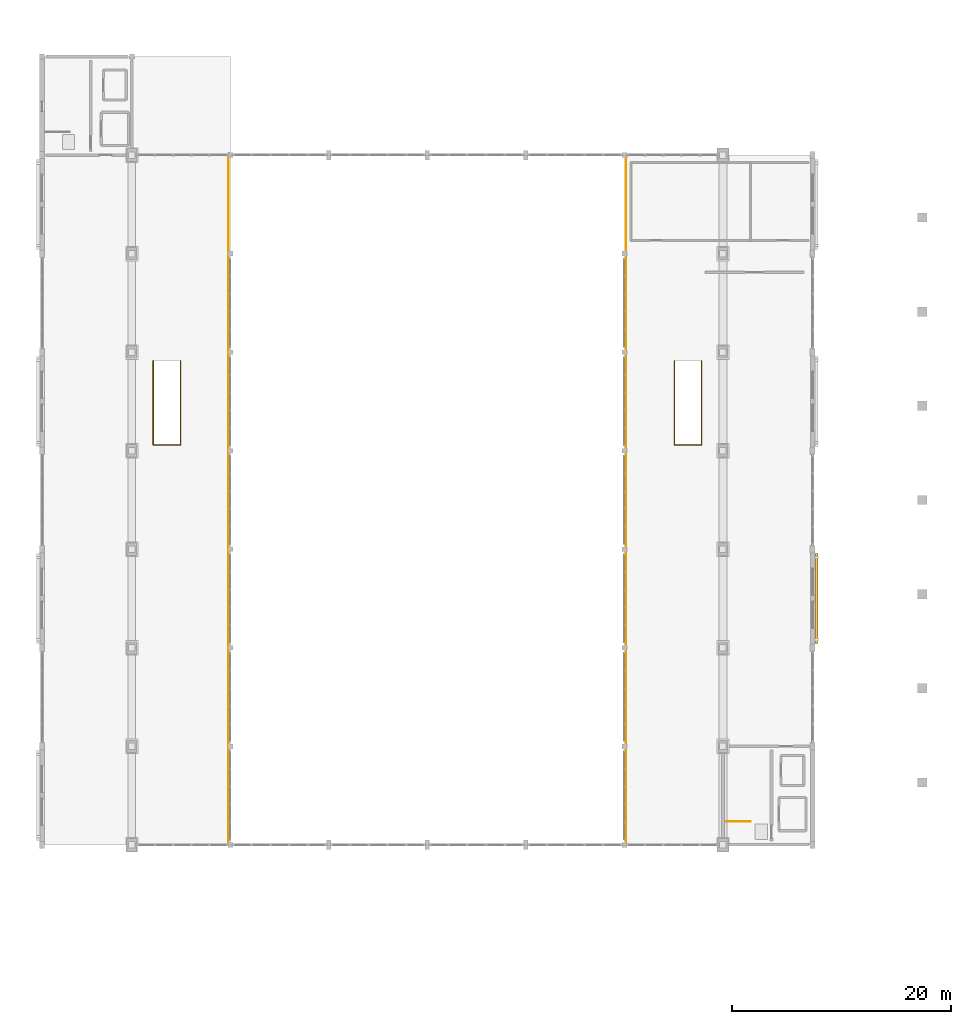
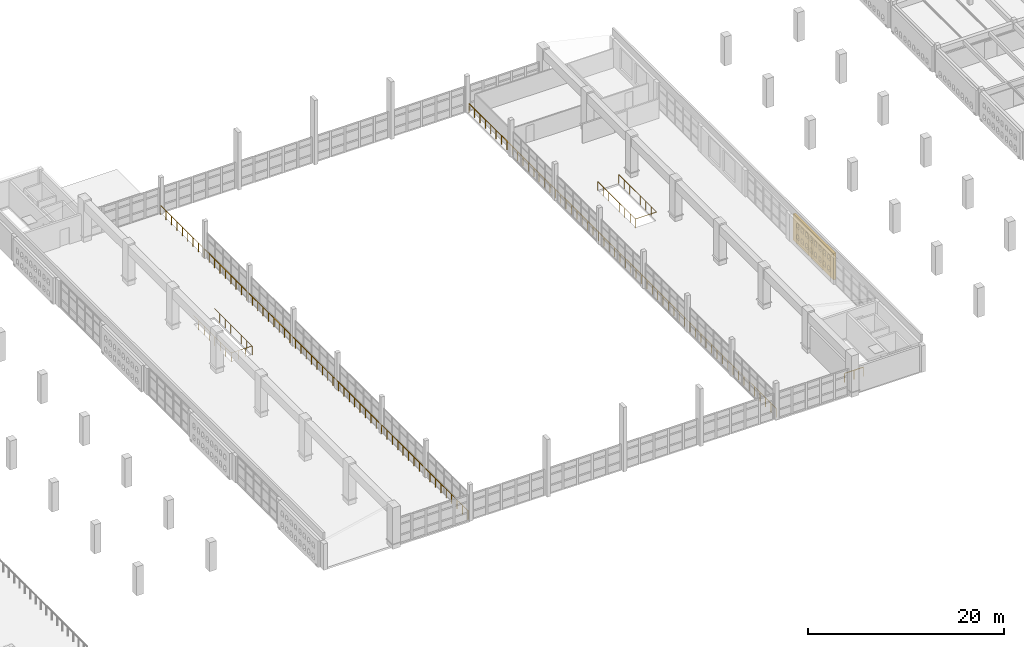
# One storey, part 75 of 80: 5 railings, 1 covering.
"""IFC4 building model written with IfcOpenShell, lengths in metres."""

from ifc_helpers import new_model, si_unit, direction, frame, origin, origin_2d, place, context, subcontext, project, spatial, polyline, circle, outline, extrude, material, layer, layer_set, type_object, element, save


model = new_model("IFC4")

# Units and contexts
model_context = context("Model", 3, precision=1e-05, world=origin(), true_north=direction((0.0, 1.0)))
body_context = subcontext(model_context, "Body", "Model", "MODEL_VIEW")
ifc_project = project(units=[si_unit("LENGTHUNIT", "METRE"), si_unit("AREAUNIT", "SQUARE_METRE"), si_unit("VOLUMEUNIT", "CUBIC_METRE"), si_unit("PLANEANGLEUNIT", "RADIAN"), si_unit("MASSUNIT", "GRAM", prefix="KILO")], contexts=[model_context])

# Site, building, storey
site_placement = place(None, origin())
site = spatial("IfcSite", under=ifc_project, at=site_placement, CompositionType="ELEMENT")
building_placement = place(site_placement, origin())
building = spatial("IfcBuilding", under=site, at=building_placement, Name="Ornek Quay Market", CompositionType="ELEMENT")
storey_placement = place(building_placement, frame((0.0, 0.0, 8.39990234375)))
storey = spatial("IfcBuildingStorey", under=building, at=storey_placement, Name="L02", CompositionType="ELEMENT", Elevation=8.39990234375)

# Covering
ifc_material_1 = material(Name="Frost-resistant facing clay brick M200 F100", Category="masonry")
ifc_layer = layer(ifc_material_1, 0.2900390625, Name="Frost-resistant facing clay brick M200 F100", Category="masonry")
ifc_layer_set = layer_set([ifc_layer], Name="Frost-resistant facing clay brick M200 F100")
covering_type = type_object("IfcCoveringType", Name="COV-BRICK-LATTICE-290", PredefinedType="CLADDING", material=ifc_layer_set)
covering_placement = place(storey_placement, frame((125.5400390625, 47.39990234375, 0.0), z_axis=(0.0, 0.0, 1.0), x_axis=(0.0, 1.0, 0.0)))
element("IfcCovering", 1, at=covering_placement, inside=storey, type_object=covering_type, Name="Arched brick lattice screen BLS-059", PredefinedType="CLADDING", context=body_context, shape_type="SweptSolid", body=[
    extrude(outline(polyline([(0.0, 0.0), (8.2001953125, 0.0), (8.2001953125, 3.2900390625), (0.0, 3.2900390625), (0.0, 0.0)]), holes=[polyline([(0.7099609375, 0.550048828125), (1.18994140625, 0.550048828125), (1.18994140625, 1.050048828125), (1.070068359375, 1.2578125), (0.830078125, 1.2578125), (0.7099609375, 1.050048828125), (0.7099609375, 0.550048828125)]), polyline([(0.7099609375, 1.949951171875), (1.18994140625, 1.949951171875), (1.18994140625, 2.449951171875), (1.070068359375, 2.65771484375), (0.830078125, 2.65771484375), (0.7099609375, 2.449951171875), (0.7099609375, 1.949951171875)]), polyline([(1.610107421875, 0.550048828125), (2.090087890625, 0.550048828125), (2.090087890625, 1.050048828125), (1.969970703125, 1.2578125), (1.72998046875, 1.2578125), (1.610107421875, 1.050048828125), (1.610107421875, 0.550048828125)]), polyline([(1.610107421875, 1.949951171875), (2.090087890625, 1.949951171875), (2.090087890625, 2.449951171875), (1.969970703125, 2.65771484375), (1.72998046875, 2.65771484375), (1.610107421875, 2.449951171875), (1.610107421875, 1.949951171875)]), polyline([(2.510009765625, 0.550048828125), (2.989990234375, 0.550048828125), (2.989990234375, 1.050048828125), (2.8701171875, 1.2578125), (2.6298828125, 1.2578125), (2.510009765625, 1.050048828125), (2.510009765625, 0.550048828125)]), polyline([(2.510009765625, 1.949951171875), (2.989990234375, 1.949951171875), (2.989990234375, 2.449951171875), (2.8701171875, 2.65771484375), (2.6298828125, 2.65771484375), (2.510009765625, 2.449951171875), (2.510009765625, 1.949951171875)]), polyline([(3.409912109375, 0.550048828125), (3.889892578125, 0.550048828125), (3.889892578125, 1.050048828125), (3.77001953125, 1.2578125), (3.530029296875, 1.2578125), (3.409912109375, 1.050048828125), (3.409912109375, 0.550048828125)]), polyline([(3.409912109375, 1.949951171875), (3.889892578125, 1.949951171875), (3.889892578125, 2.449951171875), (3.77001953125, 2.65771484375), (3.530029296875, 2.65771484375), (3.409912109375, 2.449951171875), (3.409912109375, 1.949951171875)]), polyline([(4.31005859375, 0.550048828125), (4.7900390625, 0.550048828125), (4.7900390625, 1.050048828125), (4.669921875, 1.2578125), (4.429931640625, 1.2578125), (4.31005859375, 1.050048828125), (4.31005859375, 0.550048828125)]), polyline([(4.31005859375, 1.949951171875), (4.7900390625, 1.949951171875), (4.7900390625, 2.449951171875), (4.669921875, 2.65771484375), (4.429931640625, 2.65771484375), (4.31005859375, 2.449951171875), (4.31005859375, 1.949951171875)]), polyline([(5.2099609375, 0.550048828125), (5.68994140625, 0.550048828125), (5.68994140625, 1.050048828125), (5.570068359375, 1.2578125), (5.330078125, 1.2578125), (5.2099609375, 1.050048828125), (5.2099609375, 0.550048828125)]), polyline([(5.2099609375, 1.949951171875), (5.68994140625, 1.949951171875), (5.68994140625, 2.449951171875), (5.570068359375, 2.65771484375), (5.330078125, 2.65771484375), (5.2099609375, 2.449951171875), (5.2099609375, 1.949951171875)]), polyline([(6.110107421875, 0.550048828125), (6.590087890625, 0.550048828125), (6.590087890625, 1.050048828125), (6.469970703125, 1.2578125), (6.22998046875, 1.2578125), (6.110107421875, 1.050048828125), (6.110107421875, 0.550048828125)]), polyline([(6.110107421875, 1.949951171875), (6.590087890625, 1.949951171875), (6.590087890625, 2.449951171875), (6.469970703125, 2.65771484375), (6.22998046875, 2.65771484375), (6.110107421875, 2.449951171875), (6.110107421875, 1.949951171875)]), polyline([(7.010009765625, 0.550048828125), (7.489990234375, 0.550048828125), (7.489990234375, 1.050048828125), (7.3701171875, 1.2578125), (7.1298828125, 1.2578125), (7.010009765625, 1.050048828125), (7.010009765625, 0.550048828125)]), polyline([(7.010009765625, 1.949951171875), (7.489990234375, 1.949951171875), (7.489990234375, 2.449951171875), (7.3701171875, 2.65771484375), (7.1298828125, 2.65771484375), (7.010009765625, 2.449951171875), (7.010009765625, 1.949951171875)])]), frame((0.0, 0.14501953125, 0.0), z_axis=(0.0, -1.0, 0.0), x_axis=(1.0, 0.0, 0.0)), (0.0, 0.0, 1.0), 0.2900390625),
])

# Railings
ifc_material_2 = material(Name="Painted steel S355 and vertical infill bars", Category="steel")
railing_type_1 = type_object("IfcRailingType", Name="RL-GUARD-GAL-1100", PredefinedType="GUARDRAIL", material=ifc_material_2)
railing_1_placement = place(storey_placement, frame((64.9599609375, 73.199951171875, 0.0)))
element("IfcRailing", 2, at=railing_1_placement, inside=storey, type_object=railing_type_1, Name="Railing GR-01-079", PredefinedType="GUARDRAIL", context=body_context, shape_type="SweptSolid", body=[
    extrude(circle(Radius=0.02392578125, at=origin_2d()), frame((0.0, 0.0, 1.09619140625), z_axis=(0.0, -1.0, 0.0), x_axis=(1.0, 0.0, 0.0)), (0.0, 0.0, 1.0), 7.6298828125),
    extrude(circle(Radius=0.02392578125, at=origin_2d()), frame((0.030029296875, -7.659912109375, 1.09619140625), z_axis=(1.0, 0.0, 0.0), x_axis=(0.0, 1.0, 0.0)), (0.0, 0.0, 1.0), 2.419921875),
    extrude(circle(Radius=0.02392578125, at=origin_2d()), frame((2.47998046875, -7.6298828125, 1.09619140625), z_axis=(0.0, 1.0, 0.0), x_axis=(-1.0, 0.0, 0.0)), (0.0, 0.0, 1.0), 7.6298828125),
    extrude(circle(Radius=0.02099609375, at=origin_2d()), origin(), (0.0, 0.0, 1.0), 1.068115234375),
    extrude(circle(Radius=0.02099609375, at=origin_2d()), frame((0.0, -1.09423828125, 0.0)), (0.0, 0.0, 1.0), 1.068115234375),
    extrude(circle(Radius=0.02099609375, at=origin_2d()), frame((0.0, -2.1884765625, 0.0)), (0.0, 0.0, 1.0), 1.068115234375),
    extrude(circle(Radius=0.02099609375, at=origin_2d()), frame((0.0, -3.28271484375, 0.0)), (0.0, 0.0, 1.0), 1.068115234375),
    extrude(circle(Radius=0.02099609375, at=origin_2d()), frame((0.0, -4.377197265625, 0.0)), (0.0, 0.0, 1.0), 1.068115234375),
    extrude(circle(Radius=0.02099609375, at=origin_2d()), frame((0.0, -5.471435546875, 0.0)), (0.0, 0.0, 1.0), 1.068115234375),
    extrude(circle(Radius=0.02099609375, at=origin_2d()), frame((0.0, -6.565673828125, 0.0)), (0.0, 0.0, 1.0), 1.068115234375),
    extrude(circle(Radius=0.02099609375, at=origin_2d()), frame((0.0, -7.659912109375, 0.0)), (0.0, 0.0, 1.0), 1.068115234375),
    extrude(circle(Radius=0.02099609375, at=origin_2d()), frame((0.82666015625, -7.659912109375, 0.0)), (0.0, 0.0, 1.0), 1.068115234375),
    extrude(circle(Radius=0.02099609375, at=origin_2d()), frame((1.6533203125, -7.659912109375, 0.0)), (0.0, 0.0, 1.0), 1.068115234375),
    extrude(circle(Radius=0.02099609375, at=origin_2d()), frame((2.47998046875, -7.659912109375, 0.0)), (0.0, 0.0, 1.0), 1.068115234375),
    extrude(circle(Radius=0.02099609375, at=origin_2d()), frame((2.47998046875, -6.565673828125, 0.0)), (0.0, 0.0, 1.0), 1.068115234375),
    extrude(circle(Radius=0.02099609375, at=origin_2d()), frame((2.47998046875, -5.471435546875, 0.0)), (0.0, 0.0, 1.0), 1.068115234375),
    extrude(circle(Radius=0.02099609375, at=origin_2d()), frame((2.47998046875, -4.377197265625, 0.0)), (0.0, 0.0, 1.0), 1.068115234375),
    extrude(circle(Radius=0.02099609375, at=origin_2d()), frame((2.47998046875, -3.28271484375, 0.0)), (0.0, 0.0, 1.0), 1.068115234375),
    extrude(circle(Radius=0.02099609375, at=origin_2d()), frame((2.47998046875, -2.1884765625, 0.0)), (0.0, 0.0, 1.0), 1.068115234375),
    extrude(circle(Radius=0.02099609375, at=origin_2d()), frame((2.47998046875, -1.09423828125, 0.0)), (0.0, 0.0, 1.0), 1.068115234375),
    extrude(circle(Radius=0.02099609375, at=origin_2d()), frame((2.47998046875, 0.0, 0.0)), (0.0, 0.0, 1.0), 1.068115234375),
])
railing_2_placement = place(storey_placement, frame((112.56005859375, 73.199951171875, 0.0)))
element("IfcRailing", 3, at=railing_2_placement, inside=storey, type_object=railing_type_1, Name="Railing GR-01-084", PredefinedType="GUARDRAIL", context=body_context, shape_type="SweptSolid", body=[
    extrude(circle(Radius=0.02392578125, at=origin_2d()), frame((0.0, 0.0, 1.09619140625), z_axis=(0.0, -1.0, 0.0), x_axis=(1.0, 0.0, 0.0)), (0.0, 0.0, 1.0), 7.6298828125),
    extrude(circle(Radius=0.02392578125, at=origin_2d()), frame((0.030029296875, -7.659912109375, 1.09619140625), z_axis=(1.0, 0.0, 0.0), x_axis=(0.0, 1.0, 0.0)), (0.0, 0.0, 1.0), 2.419921875),
    extrude(circle(Radius=0.02392578125, at=origin_2d()), frame((2.47998046875, -7.6298828125, 1.09619140625), z_axis=(0.0, 1.0, 0.0), x_axis=(-1.0, 0.0, 0.0)), (0.0, 0.0, 1.0), 7.6298828125),
    extrude(circle(Radius=0.02099609375, at=origin_2d()), origin(), (0.0, 0.0, 1.0), 1.068115234375),
    extrude(circle(Radius=0.02099609375, at=origin_2d()), frame((0.0, -1.09423828125, 0.0)), (0.0, 0.0, 1.0), 1.068115234375),
    extrude(circle(Radius=0.02099609375, at=origin_2d()), frame((0.0, -2.1884765625, 0.0)), (0.0, 0.0, 1.0), 1.068115234375),
    extrude(circle(Radius=0.02099609375, at=origin_2d()), frame((0.0, -3.28271484375, 0.0)), (0.0, 0.0, 1.0), 1.068115234375),
    extrude(circle(Radius=0.02099609375, at=origin_2d()), frame((0.0, -4.377197265625, 0.0)), (0.0, 0.0, 1.0), 1.068115234375),
    extrude(circle(Radius=0.02099609375, at=origin_2d()), frame((0.0, -5.471435546875, 0.0)), (0.0, 0.0, 1.0), 1.068115234375),
    extrude(circle(Radius=0.02099609375, at=origin_2d()), frame((0.0, -6.565673828125, 0.0)), (0.0, 0.0, 1.0), 1.068115234375),
    extrude(circle(Radius=0.02099609375, at=origin_2d()), frame((0.0, -7.659912109375, 0.0)), (0.0, 0.0, 1.0), 1.068115234375),
    extrude(circle(Radius=0.02099609375, at=origin_2d()), frame((0.82666015625, -7.659912109375, 0.0)), (0.0, 0.0, 1.0), 1.068115234375),
    extrude(circle(Radius=0.02099609375, at=origin_2d()), frame((1.6533203125, -7.659912109375, 0.0)), (0.0, 0.0, 1.0), 1.068115234375),
    extrude(circle(Radius=0.02099609375, at=origin_2d()), frame((2.47998046875, -7.659912109375, 0.0)), (0.0, 0.0, 1.0), 1.068115234375),
    extrude(circle(Radius=0.02099609375, at=origin_2d()), frame((2.47998046875, -6.565673828125, 0.0)), (0.0, 0.0, 1.0), 1.068115234375),
    extrude(circle(Radius=0.02099609375, at=origin_2d()), frame((2.47998046875, -5.471435546875, 0.0)), (0.0, 0.0, 1.0), 1.068115234375),
    extrude(circle(Radius=0.02099609375, at=origin_2d()), frame((2.47998046875, -4.377197265625, 0.0)), (0.0, 0.0, 1.0), 1.068115234375),
    extrude(circle(Radius=0.02099609375, at=origin_2d()), frame((2.47998046875, -3.28271484375, 0.0)), (0.0, 0.0, 1.0), 1.068115234375),
    extrude(circle(Radius=0.02099609375, at=origin_2d()), frame((2.47998046875, -2.1884765625, 0.0)), (0.0, 0.0, 1.0), 1.068115234375),
    extrude(circle(Radius=0.02099609375, at=origin_2d()), frame((2.47998046875, -1.09423828125, 0.0)), (0.0, 0.0, 1.0), 1.068115234375),
    extrude(circle(Radius=0.02099609375, at=origin_2d()), frame((2.47998046875, 0.0, 0.0)), (0.0, 0.0, 1.0), 1.068115234375),
])
railing_3_placement = place(storey_placement, frame((71.85009765625, 29.199951171875, 0.0)))
element("IfcRailing", 4, at=railing_3_placement, inside=storey, type_object=railing_type_1, Name="Railing GR-01-129", PredefinedType="GUARDRAIL", context=body_context, shape_type="SweptSolid", body=[
    extrude(circle(Radius=0.02392578125, at=origin_2d()), frame((0.0, 0.0, 1.09619140625), z_axis=(0.0, 1.0, 0.0), x_axis=(-1.0, 0.0, 0.0)), (0.0, 0.0, 1.0), 62.60009765625),
    extrude(circle(Radius=0.02099609375, at=origin_2d()), origin(), (0.0, 0.0, 1.0), 1.068115234375),
    extrude(circle(Radius=0.02099609375, at=origin_2d()), frame((0.0, 1.09814453125, 0.0)), (0.0, 0.0, 1.0), 1.068115234375),
    extrude(circle(Radius=0.02099609375, at=origin_2d()), frame((0.0, 2.196533203125, 0.0)), (0.0, 0.0, 1.0), 1.068115234375),
    extrude(circle(Radius=0.02099609375, at=origin_2d()), frame((0.0, 3.294677734375, 0.0)), (0.0, 0.0, 1.0), 1.068115234375),
    extrude(circle(Radius=0.02099609375, at=origin_2d()), frame((0.0, 4.39306640625, 0.0)), (0.0, 0.0, 1.0), 1.068115234375),
    extrude(circle(Radius=0.02099609375, at=origin_2d()), frame((0.0, 5.4912109375, 0.0)), (0.0, 0.0, 1.0), 1.068115234375),
    extrude(circle(Radius=0.02099609375, at=origin_2d()), frame((0.0, 6.589599609375, 0.0)), (0.0, 0.0, 1.0), 1.068115234375),
    extrude(circle(Radius=0.02099609375, at=origin_2d()), frame((0.0, 7.687744140625, 0.0)), (0.0, 0.0, 1.0), 1.068115234375),
    extrude(circle(Radius=0.02099609375, at=origin_2d()), frame((0.0, 8.785888671875, 0.0)), (0.0, 0.0, 1.0), 1.068115234375),
    extrude(circle(Radius=0.02099609375, at=origin_2d()), frame((0.0, 9.88427734375, 0.0)), (0.0, 0.0, 1.0), 1.068115234375),
    extrude(circle(Radius=0.02099609375, at=origin_2d()), frame((0.0, 10.982421875, 0.0)), (0.0, 0.0, 1.0), 1.068115234375),
    extrude(circle(Radius=0.02099609375, at=origin_2d()), frame((0.0, 12.080810546875, 0.0)), (0.0, 0.0, 1.0), 1.068115234375),
    extrude(circle(Radius=0.02099609375, at=origin_2d()), frame((0.0, 13.178955078125, 0.0)), (0.0, 0.0, 1.0), 1.068115234375),
    extrude(circle(Radius=0.02099609375, at=origin_2d()), frame((0.0, 14.277099609375, 0.0)), (0.0, 0.0, 1.0), 1.068115234375),
    extrude(circle(Radius=0.02099609375, at=origin_2d()), frame((0.0, 15.37548828125, 0.0)), (0.0, 0.0, 1.0), 1.068115234375),
    extrude(circle(Radius=0.02099609375, at=origin_2d()), frame((0.0, 16.4736328125, 0.0)), (0.0, 0.0, 1.0), 1.068115234375),
    extrude(circle(Radius=0.02099609375, at=origin_2d()), frame((0.0, 17.572021484375, 0.0)), (0.0, 0.0, 1.0), 1.068115234375),
    extrude(circle(Radius=0.02099609375, at=origin_2d()), frame((0.0, 18.670166015625, 0.0)), (0.0, 0.0, 1.0), 1.068115234375),
    extrude(circle(Radius=0.02099609375, at=origin_2d()), frame((0.0, 19.7685546875, 0.0)), (0.0, 0.0, 1.0), 1.068115234375),
    extrude(circle(Radius=0.02099609375, at=origin_2d()), frame((0.0, 20.86669921875, 0.0)), (0.0, 0.0, 1.0), 1.068115234375),
    extrude(circle(Radius=0.02099609375, at=origin_2d()), frame((0.0, 21.96484375, 0.0)), (0.0, 0.0, 1.0), 1.068115234375),
    extrude(circle(Radius=0.02099609375, at=origin_2d()), frame((0.0, 23.063232421875, 0.0)), (0.0, 0.0, 1.0), 1.068115234375),
    extrude(circle(Radius=0.02099609375, at=origin_2d()), frame((0.0, 24.161376953125, 0.0)), (0.0, 0.0, 1.0), 1.068115234375),
    extrude(circle(Radius=0.02099609375, at=origin_2d()), frame((0.0, 25.259765625, 0.0)), (0.0, 0.0, 1.0), 1.068115234375),
    extrude(circle(Radius=0.02099609375, at=origin_2d()), frame((0.0, 26.35791015625, 0.0)), (0.0, 0.0, 1.0), 1.068115234375),
    extrude(circle(Radius=0.02099609375, at=origin_2d()), frame((0.0, 27.456298828125, 0.0)), (0.0, 0.0, 1.0), 1.068115234375),
    extrude(circle(Radius=0.02099609375, at=origin_2d()), frame((0.0, 28.554443359375, 0.0)), (0.0, 0.0, 1.0), 1.068115234375),
    extrude(circle(Radius=0.02099609375, at=origin_2d()), frame((0.0, 29.652587890625, 0.0)), (0.0, 0.0, 1.0), 1.068115234375),
    extrude(circle(Radius=0.02099609375, at=origin_2d()), frame((0.0, 30.7509765625, 0.0)), (0.0, 0.0, 1.0), 1.068115234375),
    extrude(circle(Radius=0.02099609375, at=origin_2d()), frame((0.0, 31.84912109375, 0.0)), (0.0, 0.0, 1.0), 1.068115234375),
    extrude(circle(Radius=0.02099609375, at=origin_2d()), frame((0.0, 32.947509765625, 0.0)), (0.0, 0.0, 1.0), 1.068115234375),
    extrude(circle(Radius=0.02099609375, at=origin_2d()), frame((0.0, 34.045654296875, 0.0)), (0.0, 0.0, 1.0), 1.068115234375),
    extrude(circle(Radius=0.02099609375, at=origin_2d()), frame((0.0, 35.143798828125, 0.0)), (0.0, 0.0, 1.0), 1.068115234375),
    extrude(circle(Radius=0.02099609375, at=origin_2d()), frame((0.0, 36.2421875, 0.0)), (0.0, 0.0, 1.0), 1.068115234375),
    extrude(circle(Radius=0.02099609375, at=origin_2d()), frame((0.0, 37.34033203125, 0.0)), (0.0, 0.0, 1.0), 1.068115234375),
    extrude(circle(Radius=0.02099609375, at=origin_2d()), frame((0.0, 38.438720703125, 0.0)), (0.0, 0.0, 1.0), 1.068115234375),
    extrude(circle(Radius=0.02099609375, at=origin_2d()), frame((0.0, 39.536865234375, 0.0)), (0.0, 0.0, 1.0), 1.068115234375),
    extrude(circle(Radius=0.02099609375, at=origin_2d()), frame((0.0, 40.63525390625, 0.0)), (0.0, 0.0, 1.0), 1.068115234375),
    extrude(circle(Radius=0.02099609375, at=origin_2d()), frame((0.0, 41.7333984375, 0.0)), (0.0, 0.0, 1.0), 1.068115234375),
    extrude(circle(Radius=0.02099609375, at=origin_2d()), frame((0.0, 42.83154296875, 0.0)), (0.0, 0.0, 1.0), 1.068115234375),
    extrude(circle(Radius=0.02099609375, at=origin_2d()), frame((0.0, 43.929931640625, 0.0)), (0.0, 0.0, 1.0), 1.068115234375),
    extrude(circle(Radius=0.02099609375, at=origin_2d()), frame((0.0, 45.028076171875, 0.0)), (0.0, 0.0, 1.0), 1.068115234375),
    extrude(circle(Radius=0.02099609375, at=origin_2d()), frame((0.0, 46.12646484375, 0.0)), (0.0, 0.0, 1.0), 1.068115234375),
    extrude(circle(Radius=0.02099609375, at=origin_2d()), frame((0.0, 47.224609375, 0.0)), (0.0, 0.0, 1.0), 1.068115234375),
    extrude(circle(Radius=0.02099609375, at=origin_2d()), frame((0.0, 48.322998046875, 0.0)), (0.0, 0.0, 1.0), 1.068115234375),
    extrude(circle(Radius=0.02099609375, at=origin_2d()), frame((0.0, 49.421142578125, 0.0)), (0.0, 0.0, 1.0), 1.068115234375),
    extrude(circle(Radius=0.02099609375, at=origin_2d()), frame((0.0, 50.519287109375, 0.0)), (0.0, 0.0, 1.0), 1.068115234375),
    extrude(circle(Radius=0.02099609375, at=origin_2d()), frame((0.0, 51.61767578125, 0.0)), (0.0, 0.0, 1.0), 1.068115234375),
    extrude(circle(Radius=0.02099609375, at=origin_2d()), frame((0.0, 52.7158203125, 0.0)), (0.0, 0.0, 1.0), 1.068115234375),
    extrude(circle(Radius=0.02099609375, at=origin_2d()), frame((0.0, 53.814208984375, 0.0)), (0.0, 0.0, 1.0), 1.068115234375),
    extrude(circle(Radius=0.02099609375, at=origin_2d()), frame((0.0, 54.912353515625, 0.0)), (0.0, 0.0, 1.0), 1.068115234375),
    extrude(circle(Radius=0.02099609375, at=origin_2d()), frame((0.0, 56.010498046875, 0.0)), (0.0, 0.0, 1.0), 1.068115234375),
    extrude(circle(Radius=0.02099609375, at=origin_2d()), frame((0.0, 57.10888671875, 0.0)), (0.0, 0.0, 1.0), 1.068115234375),
    extrude(circle(Radius=0.02099609375, at=origin_2d()), frame((0.0, 58.20703125, 0.0)), (0.0, 0.0, 1.0), 1.068115234375),
    extrude(circle(Radius=0.02099609375, at=origin_2d()), frame((0.0, 59.305419921875, 0.0)), (0.0, 0.0, 1.0), 1.068115234375),
    extrude(circle(Radius=0.02099609375, at=origin_2d()), frame((0.0, 60.403564453125, 0.0)), (0.0, 0.0, 1.0), 1.068115234375),
    extrude(circle(Radius=0.02099609375, at=origin_2d()), frame((0.0, 61.501953125, 0.0)), (0.0, 0.0, 1.0), 1.068115234375),
    extrude(circle(Radius=0.02099609375, at=origin_2d()), frame((0.0, 62.60009765625, 0.0)), (0.0, 0.0, 1.0), 1.068115234375),
])
railing_4_placement = place(storey_placement, frame((108.14990234375, 29.199951171875, 0.0)))
element("IfcRailing", 5, at=railing_4_placement, inside=storey, type_object=railing_type_1, Name="Railing GR-01-130", PredefinedType="GUARDRAIL", context=body_context, shape_type="SweptSolid", body=[
    extrude(circle(Radius=0.02392578125, at=origin_2d()), frame((0.0, 0.0, 1.09619140625), z_axis=(0.0, 1.0, 0.0), x_axis=(-1.0, 0.0, 0.0)), (0.0, 0.0, 1.0), 62.60009765625),
    extrude(circle(Radius=0.02099609375, at=origin_2d()), origin(), (0.0, 0.0, 1.0), 1.068115234375),
    extrude(circle(Radius=0.02099609375, at=origin_2d()), frame((0.0, 1.09814453125, 0.0)), (0.0, 0.0, 1.0), 1.068115234375),
    extrude(circle(Radius=0.02099609375, at=origin_2d()), frame((0.0, 2.196533203125, 0.0)), (0.0, 0.0, 1.0), 1.068115234375),
    extrude(circle(Radius=0.02099609375, at=origin_2d()), frame((0.0, 3.294677734375, 0.0)), (0.0, 0.0, 1.0), 1.068115234375),
    extrude(circle(Radius=0.02099609375, at=origin_2d()), frame((0.0, 4.39306640625, 0.0)), (0.0, 0.0, 1.0), 1.068115234375),
    extrude(circle(Radius=0.02099609375, at=origin_2d()), frame((0.0, 5.4912109375, 0.0)), (0.0, 0.0, 1.0), 1.068115234375),
    extrude(circle(Radius=0.02099609375, at=origin_2d()), frame((0.0, 6.589599609375, 0.0)), (0.0, 0.0, 1.0), 1.068115234375),
    extrude(circle(Radius=0.02099609375, at=origin_2d()), frame((0.0, 7.687744140625, 0.0)), (0.0, 0.0, 1.0), 1.068115234375),
    extrude(circle(Radius=0.02099609375, at=origin_2d()), frame((0.0, 8.785888671875, 0.0)), (0.0, 0.0, 1.0), 1.068115234375),
    extrude(circle(Radius=0.02099609375, at=origin_2d()), frame((0.0, 9.88427734375, 0.0)), (0.0, 0.0, 1.0), 1.068115234375),
    extrude(circle(Radius=0.02099609375, at=origin_2d()), frame((0.0, 10.982421875, 0.0)), (0.0, 0.0, 1.0), 1.068115234375),
    extrude(circle(Radius=0.02099609375, at=origin_2d()), frame((0.0, 12.080810546875, 0.0)), (0.0, 0.0, 1.0), 1.068115234375),
    extrude(circle(Radius=0.02099609375, at=origin_2d()), frame((0.0, 13.178955078125, 0.0)), (0.0, 0.0, 1.0), 1.068115234375),
    extrude(circle(Radius=0.02099609375, at=origin_2d()), frame((0.0, 14.277099609375, 0.0)), (0.0, 0.0, 1.0), 1.068115234375),
    extrude(circle(Radius=0.02099609375, at=origin_2d()), frame((0.0, 15.37548828125, 0.0)), (0.0, 0.0, 1.0), 1.068115234375),
    extrude(circle(Radius=0.02099609375, at=origin_2d()), frame((0.0, 16.4736328125, 0.0)), (0.0, 0.0, 1.0), 1.068115234375),
    extrude(circle(Radius=0.02099609375, at=origin_2d()), frame((0.0, 17.572021484375, 0.0)), (0.0, 0.0, 1.0), 1.068115234375),
    extrude(circle(Radius=0.02099609375, at=origin_2d()), frame((0.0, 18.670166015625, 0.0)), (0.0, 0.0, 1.0), 1.068115234375),
    extrude(circle(Radius=0.02099609375, at=origin_2d()), frame((0.0, 19.7685546875, 0.0)), (0.0, 0.0, 1.0), 1.068115234375),
    extrude(circle(Radius=0.02099609375, at=origin_2d()), frame((0.0, 20.86669921875, 0.0)), (0.0, 0.0, 1.0), 1.068115234375),
    extrude(circle(Radius=0.02099609375, at=origin_2d()), frame((0.0, 21.96484375, 0.0)), (0.0, 0.0, 1.0), 1.068115234375),
    extrude(circle(Radius=0.02099609375, at=origin_2d()), frame((0.0, 23.063232421875, 0.0)), (0.0, 0.0, 1.0), 1.068115234375),
    extrude(circle(Radius=0.02099609375, at=origin_2d()), frame((0.0, 24.161376953125, 0.0)), (0.0, 0.0, 1.0), 1.068115234375),
    extrude(circle(Radius=0.02099609375, at=origin_2d()), frame((0.0, 25.259765625, 0.0)), (0.0, 0.0, 1.0), 1.068115234375),
    extrude(circle(Radius=0.02099609375, at=origin_2d()), frame((0.0, 26.35791015625, 0.0)), (0.0, 0.0, 1.0), 1.068115234375),
    extrude(circle(Radius=0.02099609375, at=origin_2d()), frame((0.0, 27.456298828125, 0.0)), (0.0, 0.0, 1.0), 1.068115234375),
    extrude(circle(Radius=0.02099609375, at=origin_2d()), frame((0.0, 28.554443359375, 0.0)), (0.0, 0.0, 1.0), 1.068115234375),
    extrude(circle(Radius=0.02099609375, at=origin_2d()), frame((0.0, 29.652587890625, 0.0)), (0.0, 0.0, 1.0), 1.068115234375),
    extrude(circle(Radius=0.02099609375, at=origin_2d()), frame((0.0, 30.7509765625, 0.0)), (0.0, 0.0, 1.0), 1.068115234375),
    extrude(circle(Radius=0.02099609375, at=origin_2d()), frame((0.0, 31.84912109375, 0.0)), (0.0, 0.0, 1.0), 1.068115234375),
    extrude(circle(Radius=0.02099609375, at=origin_2d()), frame((0.0, 32.947509765625, 0.0)), (0.0, 0.0, 1.0), 1.068115234375),
    extrude(circle(Radius=0.02099609375, at=origin_2d()), frame((0.0, 34.045654296875, 0.0)), (0.0, 0.0, 1.0), 1.068115234375),
    extrude(circle(Radius=0.02099609375, at=origin_2d()), frame((0.0, 35.143798828125, 0.0)), (0.0, 0.0, 1.0), 1.068115234375),
    extrude(circle(Radius=0.02099609375, at=origin_2d()), frame((0.0, 36.2421875, 0.0)), (0.0, 0.0, 1.0), 1.068115234375),
    extrude(circle(Radius=0.02099609375, at=origin_2d()), frame((0.0, 37.34033203125, 0.0)), (0.0, 0.0, 1.0), 1.068115234375),
    extrude(circle(Radius=0.02099609375, at=origin_2d()), frame((0.0, 38.438720703125, 0.0)), (0.0, 0.0, 1.0), 1.068115234375),
    extrude(circle(Radius=0.02099609375, at=origin_2d()), frame((0.0, 39.536865234375, 0.0)), (0.0, 0.0, 1.0), 1.068115234375),
    extrude(circle(Radius=0.02099609375, at=origin_2d()), frame((0.0, 40.63525390625, 0.0)), (0.0, 0.0, 1.0), 1.068115234375),
    extrude(circle(Radius=0.02099609375, at=origin_2d()), frame((0.0, 41.7333984375, 0.0)), (0.0, 0.0, 1.0), 1.068115234375),
    extrude(circle(Radius=0.02099609375, at=origin_2d()), frame((0.0, 42.83154296875, 0.0)), (0.0, 0.0, 1.0), 1.068115234375),
    extrude(circle(Radius=0.02099609375, at=origin_2d()), frame((0.0, 43.929931640625, 0.0)), (0.0, 0.0, 1.0), 1.068115234375),
    extrude(circle(Radius=0.02099609375, at=origin_2d()), frame((0.0, 45.028076171875, 0.0)), (0.0, 0.0, 1.0), 1.068115234375),
    extrude(circle(Radius=0.02099609375, at=origin_2d()), frame((0.0, 46.12646484375, 0.0)), (0.0, 0.0, 1.0), 1.068115234375),
    extrude(circle(Radius=0.02099609375, at=origin_2d()), frame((0.0, 47.224609375, 0.0)), (0.0, 0.0, 1.0), 1.068115234375),
    extrude(circle(Radius=0.02099609375, at=origin_2d()), frame((0.0, 48.322998046875, 0.0)), (0.0, 0.0, 1.0), 1.068115234375),
    extrude(circle(Radius=0.02099609375, at=origin_2d()), frame((0.0, 49.421142578125, 0.0)), (0.0, 0.0, 1.0), 1.068115234375),
    extrude(circle(Radius=0.02099609375, at=origin_2d()), frame((0.0, 50.519287109375, 0.0)), (0.0, 0.0, 1.0), 1.068115234375),
    extrude(circle(Radius=0.02099609375, at=origin_2d()), frame((0.0, 51.61767578125, 0.0)), (0.0, 0.0, 1.0), 1.068115234375),
    extrude(circle(Radius=0.02099609375, at=origin_2d()), frame((0.0, 52.7158203125, 0.0)), (0.0, 0.0, 1.0), 1.068115234375),
    extrude(circle(Radius=0.02099609375, at=origin_2d()), frame((0.0, 53.814208984375, 0.0)), (0.0, 0.0, 1.0), 1.068115234375),
    extrude(circle(Radius=0.02099609375, at=origin_2d()), frame((0.0, 54.912353515625, 0.0)), (0.0, 0.0, 1.0), 1.068115234375),
    extrude(circle(Radius=0.02099609375, at=origin_2d()), frame((0.0, 56.010498046875, 0.0)), (0.0, 0.0, 1.0), 1.068115234375),
    extrude(circle(Radius=0.02099609375, at=origin_2d()), frame((0.0, 57.10888671875, 0.0)), (0.0, 0.0, 1.0), 1.068115234375),
    extrude(circle(Radius=0.02099609375, at=origin_2d()), frame((0.0, 58.20703125, 0.0)), (0.0, 0.0, 1.0), 1.068115234375),
    extrude(circle(Radius=0.02099609375, at=origin_2d()), frame((0.0, 59.305419921875, 0.0)), (0.0, 0.0, 1.0), 1.068115234375),
    extrude(circle(Radius=0.02099609375, at=origin_2d()), frame((0.0, 60.403564453125, 0.0)), (0.0, 0.0, 1.0), 1.068115234375),
    extrude(circle(Radius=0.02099609375, at=origin_2d()), frame((0.0, 61.501953125, 0.0)), (0.0, 0.0, 1.0), 1.068115234375),
    extrude(circle(Radius=0.02099609375, at=origin_2d()), frame((0.0, 62.60009765625, 0.0)), (0.0, 0.0, 1.0), 1.068115234375),
])
ifc_material_3 = material(Name="Brushed stainless steel 316", Category="steel")
railing_type_2 = type_object("IfcRailingType", Name="RL-GUARD-STAIR-1100", PredefinedType="GUARDRAIL", material=ifc_material_3)
railing_5_placement = place(storey_placement, frame((117.320068359375, 31.1201171875, 0.0)))
element("IfcRailing", 6, at=railing_5_placement, inside=storey, type_object=railing_type_2, Name="Railing GR-03-036", PredefinedType="GUARDRAIL", context=body_context, shape_type="SweptSolid", body=[
    extrude(circle(Radius=0.02392578125, at=origin_2d()), frame((0.0, 0.0, 1.09619140625), z_axis=(1.0, 0.0, 0.0), x_axis=(0.0, 1.0, 0.0)), (0.0, 0.0, 1.0), 2.179931640625),
    extrude(circle(Radius=0.02099609375, at=origin_2d()), origin(), (0.0, 0.0, 1.0), 1.068115234375),
    extrude(circle(Radius=0.02099609375, at=origin_2d()), frame((1.08984375, 0.0, 0.0)), (0.0, 0.0, 1.0), 1.068115234375),
    extrude(circle(Radius=0.02099609375, at=origin_2d()), frame((2.179931640625, 0.0, 0.0)), (0.0, 0.0, 1.0), 1.068115234375),
])

save(model, "model.ifc")
